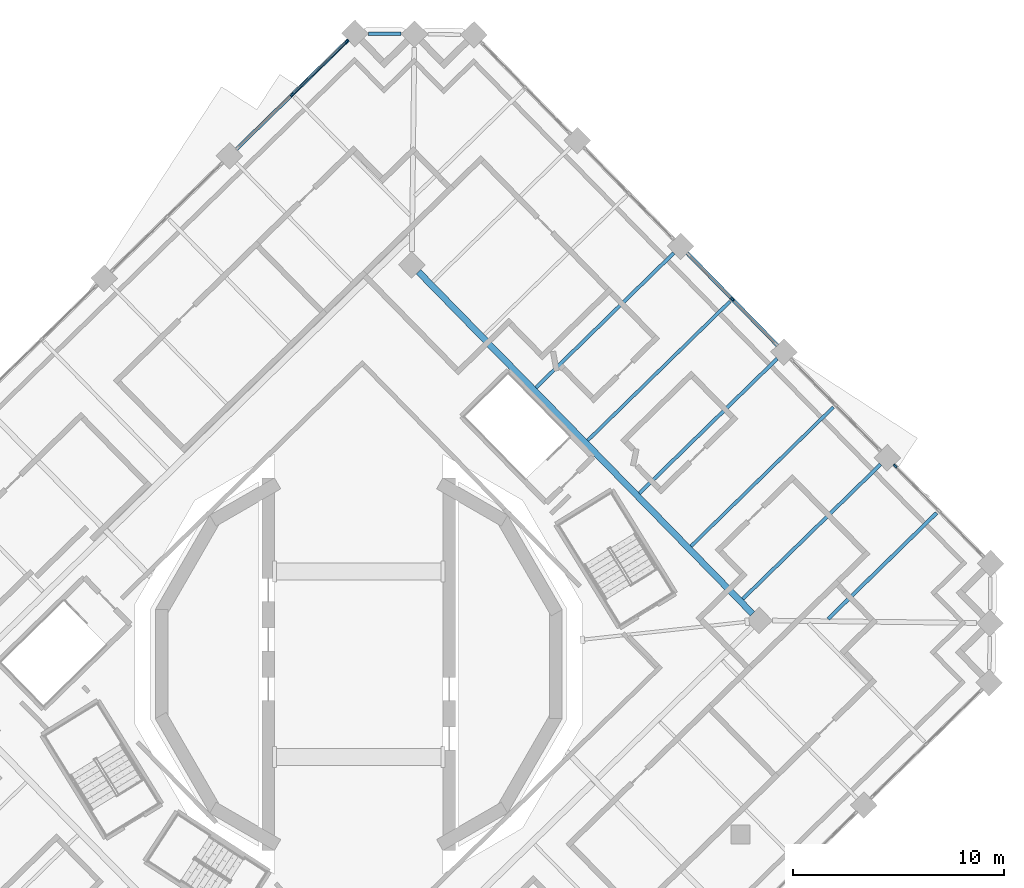
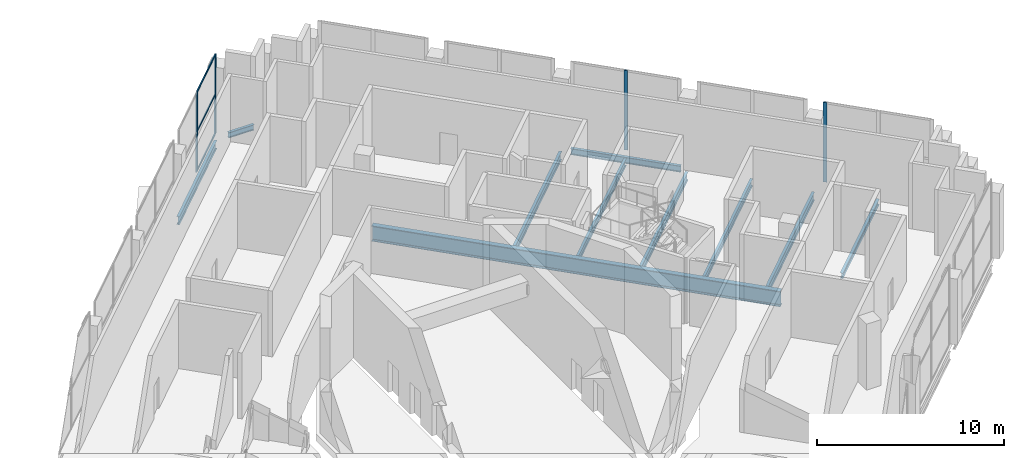
# One storey, part 7 of 20: 10 beams, 7 members, 3 elements without a shape of their own.
"""IFC4 building model written with IfcOpenShell, lengths in metres."""

from ifc_helpers import new_model, si_unit, direction, frame, origin, origin_2d, place, context, subcontext, project, spatial, rectangle, i_section, extrude, material, material_profile, profile_set, type_object, element, aggregate, save


model = new_model("IFC4")

# Units and contexts
model_context = context("Model", 3, precision=1e-05, world=origin(), true_north=direction((0.0, 1.0)))
body_context = subcontext(model_context, "Body", "Model", "MODEL_VIEW")
ifc_project = project(units=[si_unit("LENGTHUNIT", "METRE"), si_unit("AREAUNIT", "SQUARE_METRE"), si_unit("VOLUMEUNIT", "CUBIC_METRE"), si_unit("PLANEANGLEUNIT", "RADIAN"), si_unit("MASSUNIT", "GRAM", prefix="KILO")], contexts=[model_context])

# Site, building, storey
site_placement = place(None, origin())
site = spatial("IfcSite", under=ifc_project, at=site_placement, CompositionType="ELEMENT")
building_placement = place(site_placement, origin())
building = spatial("IfcBuilding", under=site, at=building_placement, Name="Cantera Rosa Tower", CompositionType="ELEMENT")
storey_placement = place(building_placement, frame((0.0, 0.0, 245.0)))
storey = spatial("IfcBuildingStorey", under=building, at=storey_placement, Name="L54", CompositionType="ELEMENT", Elevation=245.0)

# Curtain wall, member
ifc_material_1 = material(Name="Anodised aluminium louvre", Category="aluminium")
curtain_wall_type = type_object("IfcCurtainWallType", Name="CW3 REFUGE LOUVRE WALL", PredefinedType="NOTDEFINED", material=ifc_material_1)
curtain_wall_1_placement = place(storey_placement, origin())
curtain_wall_1 = element("IfcCurtainWall", 1, at=curtain_wall_1_placement, inside=storey, type_object=curtain_wall_type, Name="CW3 CW3", PredefinedType="NOTDEFINED")
ifc_material_2 = material(Name="Anodised bronze aluminium", Category="aluminium")
ifc_material_profile_1 = material_profile(ifc_material_2, rectangle(XDim=0.080078125, YDim=0.199951171875, at=origin_2d()), Name="CW-MULLION 80x200 REFUGE")
ifc_profile_set_1 = profile_set([ifc_material_profile_1], Name="Anodised bronze aluminium")
member_type_1 = type_object("IfcMemberType", Name="CW-MULLION 80x200 REFUGE", PredefinedType="MULLION", material=ifc_profile_set_1)
member_1_placement = place(storey_placement, frame((17.739013671875, 17.3310546875, 0.0), z_axis=(0.0, 0.0, 1.0), x_axis=(-0.715286291046, -0.698831540389, 0.0)))
member_1 = element("IfcMember", 2, at=member_1_placement, type_object=member_type_1, Name="CW3 mullion 2", PredefinedType="MULLION", context=body_context, shape_type="SweptSolid", body=[
    extrude(rectangle(XDim=0.080078125, YDim=0.199951171875, at=origin_2d()), origin(), (0.0, 0.0, 1.0), 5.199951171875),
])
aggregate(curtain_wall_1, [member_1])

# Curtain wall, members
curtain_wall_2_placement = place(storey_placement, origin())
curtain_wall_2 = element("IfcCurtainWall", 3, at=curtain_wall_2_placement, inside=storey, type_object=curtain_wall_type, Name="CW3 CW3", PredefinedType="NOTDEFINED")
member_2_placement = place(storey_placement, frame((-0.568115234375, 29.57275390625, 0.0), z_axis=(0.0, 0.0, 1.0), x_axis=(0.698831540301, -0.715286291131, 0.0)))
member_2 = element("IfcMember", 4, at=member_2_placement, type_object=member_type_1, Name="CW3 mullion 1", PredefinedType="MULLION", context=body_context, shape_type="SweptSolid", body=[
    extrude(rectangle(XDim=0.080078125, YDim=0.199951171875, at=origin_2d()), origin(), (0.0, 0.0, 1.0), 5.199951171875),
])
member_3_placement = place(storey_placement, frame((-3.157470703125, 27.04296875, 0.0), z_axis=(0.0, 0.0, 1.0), x_axis=(0.698831540301, -0.715286291131, 0.0)))
member_3 = element("IfcMember", 5, at=member_3_placement, type_object=member_type_1, Name="CW3 mullion 2", PredefinedType="MULLION", context=body_context, shape_type="SweptSolid", body=[
    extrude(rectangle(XDim=0.080078125, YDim=0.199951171875, at=origin_2d()), origin(), (0.0, 0.0, 1.0), 5.199951171875),
])

# Curtain wall, member
curtain_wall_3_placement = place(storey_placement, origin())
curtain_wall_3 = element("IfcCurtainWall", 6, at=curtain_wall_3_placement, inside=storey, type_object=curtain_wall_type, Name="CW3 CW3", PredefinedType="NOTDEFINED")
member_4_placement = place(storey_placement, frame((25.47509765625, 9.412841796875, 0.0), z_axis=(0.0, 0.0, 1.0), x_axis=(-0.715286291046, -0.698831540389, 0.0)))
member_4 = element("IfcMember", 7, at=member_4_placement, type_object=member_type_1, Name="CW3 mullion 3", PredefinedType="MULLION", context=body_context, shape_type="SweptSolid", body=[
    extrude(rectangle(XDim=0.080078125, YDim=0.199951171875, at=origin_2d()), origin(), (0.0, 0.0, 1.0), 5.199951171875),
])
aggregate(curtain_wall_3, [member_4])

# Member
ifc_material_3 = material(Name="Anodised bronze aluminium", Category="aluminium")
ifc_material_profile_2 = material_profile(ifc_material_3, rectangle(XDim=0.06005859375, YDim=0.1201171875, at=origin_2d()), Name="CW-TRANSOM 60x120 REFUGE")
ifc_profile_set_2 = profile_set([ifc_material_profile_2], Name="Anodised bronze aluminium")
member_type_2 = type_object("IfcMemberType", Name="CW-TRANSOM 60x120 REFUGE", PredefinedType="USERDEFINED", material=ifc_profile_set_2)
member_5_placement = place(storey_placement, frame((-0.5966796875, 29.544677734375, 0.030029296875), z_axis=(-0.715334487987, -0.698782205195, 0.0), x_axis=(0.698782205195, -0.715334487987, 0.0)))
member_5 = element("IfcMember", 8, at=member_5_placement, type_object=member_type_2, Name="CW3 transom 1.1", ObjectType="TRANSOM", PredefinedType="USERDEFINED", context=body_context, shape_type="SweptSolid", body=[
    extrude(rectangle(XDim=0.06005859375, YDim=0.1201171875, at=origin_2d()), origin(), (0.0, 0.0, 1.0), 3.5400390625),
])

member_6_placement = place(storey_placement, frame((-0.5966796875, 29.544677734375, 2.60009765625), z_axis=(-0.715334487987, -0.698782205195, 0.0), x_axis=(0.698782205195, -0.715334487987, 0.0)))
member_6 = element("IfcMember", 9, at=member_6_placement, type_object=member_type_2, Name="CW3 transom 1.2", ObjectType="TRANSOM", PredefinedType="USERDEFINED", context=body_context, shape_type="SweptSolid", body=[
    extrude(rectangle(XDim=0.06005859375, YDim=0.1201171875, at=origin_2d()), origin(), (0.0, 0.0, 1.0), 3.5400390625),
])

member_7_placement = place(storey_placement, frame((-0.5966796875, 29.544677734375, 5.169921875), z_axis=(-0.715334487987, -0.698782205195, 0.0), x_axis=(0.698782205195, -0.715334487987, 0.0)))
member_7 = element("IfcMember", 10, at=member_7_placement, type_object=member_type_2, Name="CW3 transom 1.3", ObjectType="TRANSOM", PredefinedType="USERDEFINED", context=body_context, shape_type="SweptSolid", body=[
    extrude(rectangle(XDim=0.06005859375, YDim=0.1201171875, at=origin_2d()), origin(), (0.0, 0.0, 1.0), 3.5400390625),
])

aggregate(curtain_wall_2, [member_2, member_3, member_5, member_6, member_7])

# Beams
ifc_material_4 = material(Name="Steel ASTM A992 (Fy 345 MPa)", Category="steel")
ifc_material_profile_3 = material_profile(ifc_material_4, i_section(OverallWidth=0.302001953125, OverallDepth=1.010009765625, WebThickness=0.02099609375, FlangeThickness=0.0400390625, FilletRadius=0.030029296875, at=origin_2d()), Name="W1000X350")
ifc_profile_set_3 = profile_set([ifc_material_profile_3], Name="Steel ASTM A992 (Fy 345 MPa)")
beam_type_1 = type_object("IfcBeamType", Name="STEEL BEAM W1000X350", PredefinedType="BEAM", material=ifc_profile_set_3)
beam_1_placement = place(storey_placement, frame((18.69677734375, 2.39892578125, -0.955078125), z_axis=(-0.698831294804, 0.715286530981, 0.0), x_axis=(-0.715286530981, -0.698831294804, 0.0)))
element("IfcBeam", 11, at=beam_1_placement, inside=storey, type_object=beam_type_1, Name="RB-Z4-05 L54", PredefinedType="BEAM", context=body_context, shape_type="SweptSolid", body=[
    extrude(i_section(OverallWidth=0.302001953125, OverallDepth=1.010009765625, WebThickness=0.02099609375, FlangeThickness=0.0400390625, FilletRadius=0.030029296875, at=origin_2d()), origin(), (0.0, 0.0, 1.0), 22.7001953125),
])
ifc_material_5 = material(Name="Steel ASTM A992 (Fy 345 MPa)", Category="steel")
ifc_material_profile_4 = material_profile(ifc_material_5, i_section(OverallWidth=0.166015625, OverallDepth=0.528076171875, WebThickness=0.009765625, FlangeThickness=0.013671875, FilletRadius=0.0126953125, at=origin_2d()), Name="W530X74")
ifc_profile_set_4 = profile_set([ifc_material_profile_4], Name="Steel ASTM A992 (Fy 345 MPa)")
beam_type_2 = type_object("IfcBeamType", Name="STEEL BEAM W530X74", PredefinedType="BEAM", material=ifc_profile_set_4)
for number, where, z_axis, x_axis, name in (
    (12, (24.77587890625, 9.484619140625, -0.714111328125), (-0.71529025682, -0.698827481213, 0.0), (0.698827481213, -0.71529025682, 0.0), "G-Z4-01 L54"),
    (13, (19.8701171875, 14.505859375, -0.714111328125), (-0.71529025682, -0.698827481213, 0.0), (0.698827481213, -0.71529025682, 0.0), "G-Z4-02 L54"),
    (14, (14.96435546875, 19.527099609375, -0.714111328125), (-0.71529025682, -0.698827481213, 0.0), (0.698827481213, -0.71529025682, 0.0), "G-Z4-03 L54"),
):
    element("IfcBeam", number, at=place(storey_placement, frame(where, z_axis=z_axis, x_axis=x_axis)), inside=storey, type_object=beam_type_2, Name=name, PredefinedType="BEAM", context=body_context, shape_type="SweptSolid", body=[
        extrude(i_section(OverallWidth=0.166015625, OverallDepth=0.528076171875, WebThickness=0.009765625, FlangeThickness=0.013671875, FilletRadius=0.0126953125, at=origin_2d()), origin(), (0.0, 0.0, 1.0), 9.14990234375),
    ])
ifc_material_6 = material(Name="Steel ASTM A992 (Fy 345 MPa)", Category="steel")
ifc_material_profile_5 = material_profile(ifc_material_6, i_section(OverallWidth=0.1708984375, OverallDepth=0.35595703125, WebThickness=0.00732421875, FlangeThickness=0.01171875, FilletRadius=0.010009765625, at=origin_2d()), Name="W360X51")
ifc_profile_set_5 = profile_set([ifc_material_profile_5], Name="Steel ASTM A992 (Fy 345 MPa)")
beam_type_3 = type_object("IfcBeamType", Name="STEEL JOIST W360X51", PredefinedType="JOIST", material=ifc_profile_set_5)
beam_2_placement = place(storey_placement, frame((27.443359375, 7.18359375, -0.6279296875), z_axis=(-0.715287213552, -0.69883059616, 0.0), x_axis=(0.69883059616, -0.715287213552, 0.0)))
element("IfcBeam", 15, at=beam_2_placement, inside=storey, type_object=beam_type_3, Name="B-Z4-01 L54", PredefinedType="JOIST", context=body_context, shape_type="SweptSolid", body=[
    extrude(i_section(OverallWidth=0.1708984375, OverallDepth=0.35595703125, WebThickness=0.00732421875, FlangeThickness=0.01171875, FilletRadius=0.010009765625, at=origin_2d()), origin(), (0.0, 0.0, 1.0), 7.2099609375),
])
ifc_material_7 = material(Name="Steel ASTM A992 (Fy 345 MPa)", Category="steel")
ifc_material_profile_6 = material_profile(ifc_material_7, i_section(OverallWidth=0.154052734375, OverallDepth=0.4599609375, WebThickness=0.009033203125, FlangeThickness=0.015380859375, FilletRadius=0.01025390625, at=origin_2d()), Name="W460X68")
ifc_profile_set_6 = profile_set([ifc_material_profile_6], Name="Steel ASTM A992 (Fy 345 MPa)")
beam_type_4 = type_object("IfcBeamType", Name="STEEL JOIST W460X68", PredefinedType="JOIST", material=ifc_profile_set_6)
for number, where, z_axis, x_axis, name in (
    (16, (22.53759765625, 12.204833984375, -0.679931640625), (-0.715287278354, -0.698830529832, 0.0), (0.698830529832, -0.715287278354, 0.0), "B-Z4-02 L54"),
    (17, (17.6318359375, 17.226318359375, -0.679931640625), (-0.715287278354, -0.698830529832, 0.0), (0.698830529832, -0.715287278354, 0.0), "B-Z4-03 L54"),
):
    element("IfcBeam", number, at=place(storey_placement, frame(where, z_axis=z_axis, x_axis=x_axis)), inside=storey, type_object=beam_type_4, Name=name, PredefinedType="JOIST", context=body_context, shape_type="SweptSolid", body=[
        extrude(i_section(OverallWidth=0.154052734375, OverallDepth=0.4599609375, WebThickness=0.009033203125, FlangeThickness=0.015380859375, FilletRadius=0.01025390625, at=origin_2d()), origin(), (0.0, 0.0, 1.0), 9.4501953125),
    ])
ifc_material_8 = material(Name="Steel ASTM A992 (Fy 345 MPa)", Category="steel")
ifc_material_profile_7 = material_profile(ifc_material_8, i_section(OverallWidth=0.1708984375, OverallDepth=0.35595703125, WebThickness=0.00732421875, FlangeThickness=0.01171875, FilletRadius=0.010009765625, at=origin_2d()), Name="W360X51")
ifc_profile_set_7 = profile_set([ifc_material_profile_7], Name="Steel ASTM A992 (Fy 345 MPa)")
beam_type_5 = type_object("IfcBeamType", Name="STEEL SPANDREL BEAM W360X51", PredefinedType="SPANDREL", material=ifc_profile_set_7)
beam_3_placement = place(storey_placement, frame((2.010009765625, 29.924560546875, -0.6279296875), z_axis=(-0.99993255119, 0.011614347636, 0.0), x_axis=(-0.011614347636, -0.99993255119, 0.0)))
element("IfcBeam", 18, at=beam_3_placement, inside=storey, type_object=beam_type_5, Name="EB-Z4-07 L54", PredefinedType="SPANDREL", context=body_context, shape_type="SweptSolid", body=[
    extrude(i_section(OverallWidth=0.1708984375, OverallDepth=0.35595703125, WebThickness=0.00732421875, FlangeThickness=0.01171875, FilletRadius=0.010009765625, at=origin_2d()), origin(), (0.0, 0.0, 1.0), 1.555419921875),
])
ifc_material_9 = material(Name="Steel ASTM A992 (Fy 345 MPa)", Category="steel")
ifc_material_profile_8 = material_profile(ifc_material_9, i_section(OverallWidth=0.177978515625, OverallDepth=0.406005859375, WebThickness=0.0078125, FlangeThickness=0.0126953125, FilletRadius=0.01025390625, at=origin_2d()), Name="W410X60")
ifc_profile_set_8 = profile_set([ifc_material_profile_8], Name="Steel ASTM A992 (Fy 345 MPa)")
beam_type_6 = type_object("IfcBeamType", Name="STEEL SPANDREL BEAM W410X60", PredefinedType="SPANDREL", material=ifc_profile_set_8)
beam_4_placement = place(storey_placement, frame((19.87744140625, 15.142333984375, -0.653076171875), z_axis=(-0.698841120217, 0.71527693147, 0.0), x_axis=(-0.71527693147, -0.698841120217, 0.0)))
element("IfcBeam", 19, at=beam_4_placement, inside=storey, type_object=beam_type_6, Name="EB-Z4-03 L54", PredefinedType="SPANDREL", context=body_context, shape_type="SweptSolid", body=[
    extrude(i_section(OverallWidth=0.177978515625, OverallDepth=0.406005859375, WebThickness=0.0078125, FlangeThickness=0.0126953125, FilletRadius=0.01025390625, at=origin_2d()), origin(), (0.0, 0.0, 1.0), 6.119873046875),
])
ifc_material_10 = material(Name="Steel ASTM A992 (Fy 345 MPa)", Category="steel")
ifc_material_profile_9 = material_profile(ifc_material_10, i_section(OverallWidth=0.166015625, OverallDepth=0.528076171875, WebThickness=0.009765625, FlangeThickness=0.013671875, FilletRadius=0.0126953125, at=origin_2d()), Name="W530X74")
ifc_profile_set_9 = profile_set([ifc_material_profile_9], Name="Steel ASTM A992 (Fy 345 MPa)")
beam_type_7 = type_object("IfcBeamType", Name="STEEL SPANDREL BEAM W530X74", PredefinedType="SPANDREL", material=ifc_profile_set_9)
beam_5_placement = place(storey_placement, frame((-0.503662109375, 29.6357421875, -0.714111328125), z_axis=(-0.715284379566, -0.698833496871, 0.0), x_axis=(0.698833496871, -0.715284379566, 0.0)))
element("IfcBeam", 20, at=beam_5_placement, inside=storey, type_object=beam_type_7, Name="EB-Z4-08 L54", PredefinedType="SPANDREL", context=body_context, shape_type="SweptSolid", body=[
    extrude(i_section(OverallWidth=0.166015625, OverallDepth=0.528076171875, WebThickness=0.009765625, FlangeThickness=0.013671875, FilletRadius=0.0126953125, at=origin_2d()), origin(), (0.0, 0.0, 1.0), 7.42041015625),
])

save(model, "model.ifc")
